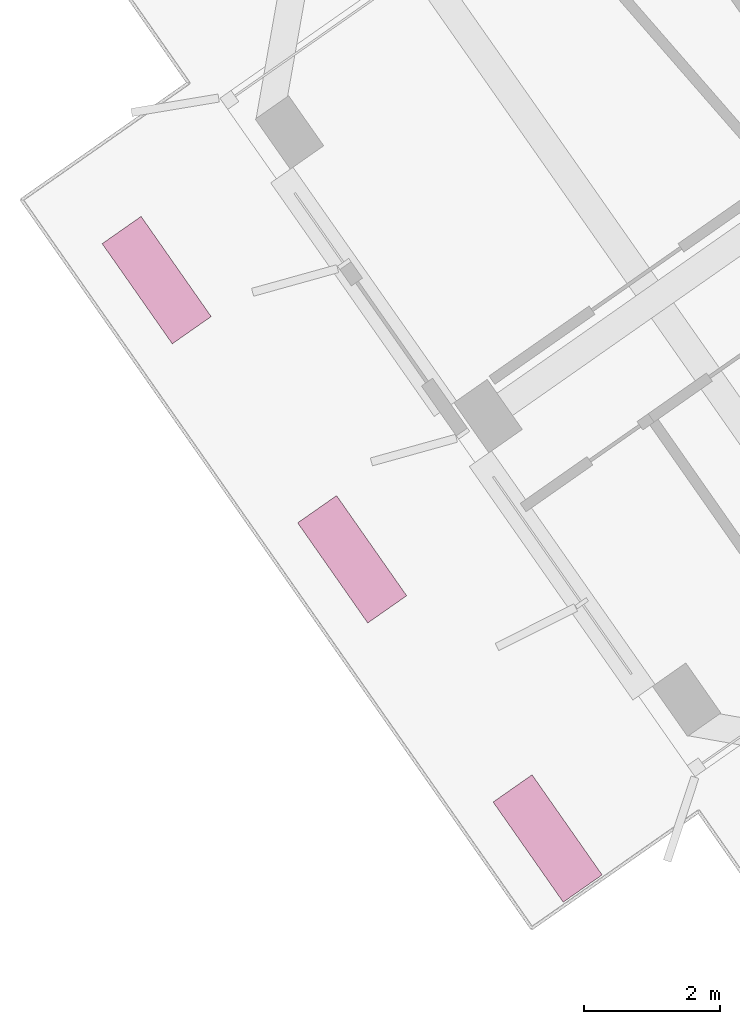
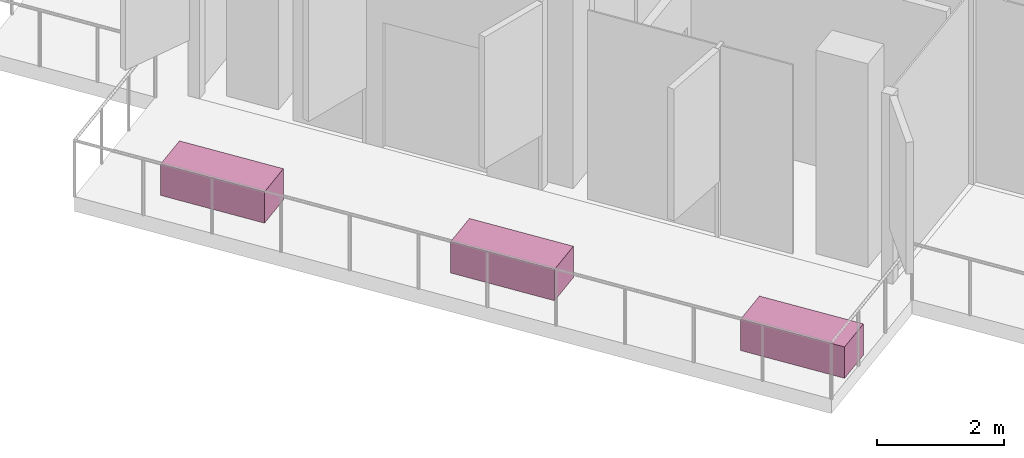
# One storey, part 18 of 18: 3 furniture elements.
"""IFC4 building model written with IfcOpenShell, lengths in metres."""

import ifcopenshell
import ifcopenshell.guid

model = None  # the IFC model being written
_history = None  # IfcOwnerHistory: only IFC2X3 demands one
_inside = {}  # id of a spatial element -> (the spatial element, [elements in it])
_under = {}  # id of a project, library or spatial element -> (it, [spatial elements below it])
_declared = {}  # id of a project -> (the project, [libraries it declares])
_typed = {}  # id of a type object -> (the type object, [elements of that type])
_made_of = {}  # id of a material, layer set ... -> (it, [elements and type objects made of it])


def new_model(schema):
    """Start an empty IFC model of exactly this schema.

    Asked for "IFC4X3", IfcOpenShell would pick the latest addendum, in which some entities
    have other attributes; the version numbers below select the first issue.
    IFC2X3 requires an IfcOwnerHistory on every rooted entity: one is made here for all.
    """
    global model, _history
    if schema == "IFC4X3":
        model = ifcopenshell.file(schema_version=(4, 3, 0, 0))
    else:
        model = ifcopenshell.file(schema=schema)
    _inside.clear()
    _under.clear()
    _declared.clear()
    _typed.clear()
    _made_of.clear()
    _history = None
    if model.schema == "IFC2X3":
        org = make("IfcOrganization", Name="unknown")
        user = make(
            "IfcPersonAndOrganization",
            ThePerson=make("IfcPerson", FamilyName="unknown"),
            TheOrganization=org,
        )
        app = make(
            "IfcApplication",
            ApplicationDeveloper=org,
            Version="unknown",
            ApplicationFullName="unknown",
            ApplicationIdentifier="unknown",
        )
        _history = make(
            "IfcOwnerHistory",
            OwningUser=user,
            OwningApplication=app,
            ChangeAction="ADDED",
            CreationDate=0,
        )
    return model


def make(cls, **values):
    """One entity of the class cls with the attributes given. An attribute that is None is left unset."""
    return model.create_entity(
        cls, **{name: value for name, value in values.items() if value is not None}
    )


def rooted(cls, **values):
    """An entity with a GlobalId (a new one), such as an element, a storey or a relation."""
    return make(cls, GlobalId=ifcopenshell.guid.new(), OwnerHistory=_history, **values)


def si_unit(unit_type, name, prefix=None):
    """IfcSIUnit, for example si_unit("LENGTHUNIT", "METRE", prefix="MILLI")."""
    return make("IfcSIUnit", UnitType=unit_type, Prefix=prefix, Name=name)


def assignment(units):
    """IfcUnitAssignment: the units of a project."""
    return None if units is None else make("IfcUnitAssignment", Units=units)


def point(xyz):
    """IfcCartesianPoint."""
    return None if xyz is None else make("IfcCartesianPoint", Coordinates=xyz)


def direction(xyz):
    """IfcDirection."""
    return None if xyz is None else make("IfcDirection", DirectionRatios=xyz)


def frame(location, z_axis=None, x_axis=None):
    """IfcAxis2Placement3D, a coordinate frame: its origin and axes. An axis left out is left unset."""
    return make(
        "IfcAxis2Placement3D",
        Location=point(location),
        Axis=direction(z_axis),
        RefDirection=direction(x_axis),
    )


def frame_2d(location, x_axis=None):
    """IfcAxis2Placement2D, a coordinate frame in the plane: its origin and x axis."""
    return make(
        "IfcAxis2Placement2D", Location=point(location), RefDirection=direction(x_axis)
    )


def origin():
    """The frame at (0, 0, 0) with its axes left unset."""
    return frame((0.0, 0.0, 0.0))


def origin_2d():
    """The frame at (0, 0) in the plane with its x axis left unset."""
    return frame_2d((0.0, 0.0))


def place(relative_to, where):
    """IfcLocalPlacement: puts the frame where relative to a parent placement (None: the world)."""
    return make(
        "IfcLocalPlacement", PlacementRelTo=relative_to, RelativePlacement=where
    )


def context(
    kind, dimensions, precision=None, world=None, true_north=None, identifier=None
):
    """IfcGeometricRepresentationContext, for example the 3D "Model" context."""
    return make(
        "IfcGeometricRepresentationContext",
        ContextIdentifier=identifier,
        ContextType=kind,
        CoordinateSpaceDimension=dimensions,
        Precision=precision,
        WorldCoordinateSystem=world,
        TrueNorth=true_north,
    )


def subcontext(parent, identifier, kind, view, scale=None):
    """IfcGeometricRepresentationSubContext, for example "Body" below "Model"."""
    return make(
        "IfcGeometricRepresentationSubContext",
        ContextIdentifier=identifier,
        ContextType=kind,
        ParentContext=parent,
        TargetScale=scale,
        TargetView=view,
    )


def project(units=None, contexts=None):
    """IfcProject with its units and contexts."""
    return rooted(
        "IfcProject",
        Name="project",
        RepresentationContexts=contexts,
        UnitsInContext=assignment(units),
    )


def spatial(cls, under=None, at=None, **own):
    """A site, building, storey or space (cls), placed at a placement, below another one or the project."""
    s = rooted(cls, ObjectPlacement=at, **own)
    if under is not None:
        _under.setdefault(under.id(), (under, []))[1].append(s)
    return s


def profile(cls, at=None, kind="AREA", **sizes):
    """A parametric profile (cls). Its sizes go by their IFC names, for example OverallWidth=200.0."""
    return make(cls, ProfileType=kind, Position=at, **sizes)


def rectangle(**sizes):
    """IfcRectangleProfileDef."""
    return profile("IfcRectangleProfileDef", **sizes)


def extrude(swept, where, along, depth):
    """IfcExtrudedAreaSolid: the profile swept, set in the frame where, extruded along a direction by depth."""
    return make(
        "IfcExtrudedAreaSolid",
        SweptArea=swept,
        Position=where,
        ExtrudedDirection=direction(along),
        Depth=depth,
    )


def shape(context_of_items, identifier, shape_type, items):
    """IfcShapeRepresentation: the items that make up one representation, for example the "Body"."""
    return make(
        "IfcShapeRepresentation",
        ContextOfItems=context_of_items,
        RepresentationIdentifier=identifier,
        RepresentationType=shape_type,
        Items=items,
    )


def material(Name=None, Category=None):
    """IfcMaterial."""
    return make("IfcMaterial", Name=Name, Category=Category)


def made_of(thing, what):
    """Note that an element or type object is made of a material, layer set ...; save() writes the relation."""
    if what is not None:
        _made_of.setdefault(what.id(), (what, []))[1].append(thing)
    return thing


def type_object(cls, material=None, **own):
    """A type object (cls), such as IfcWallType, which elements share."""
    return made_of(rooted(cls, **own), material)


def element(
    cls,
    number,
    at=None,
    inside=None,
    cuts=None,
    type_object=None,
    material=None,
    context=None,
    identifier="Body",
    shape_type=None,
    held_by="IfcProductDefinitionShape",
    body=None,
    shapes=None,
    **own,
):
    """One element of the class cls, such as IfcWall. Its Tag is "e" and its number.

    at: its placement. inside: the storey or other place that contains it. cuts: it is an
    opening in that element (IfcRelVoidsElement). A single representation is given by context,
    identifier, shape_type and body (its items); several are given by shapes. held_by: the class
    of the entity that holds the representations. save() writes the other relations.
    """
    e = rooted(cls, Tag="e%d" % number, ObjectPlacement=at, **own)
    if body is not None:
        shapes = [shape(context, identifier, shape_type, body)]
    if shapes is not None:
        e.Representation = make(held_by, Representations=shapes)
    if inside is not None:
        _inside.setdefault(inside.id(), (inside, []))[1].append(e)
    if cuts is not None:
        rooted(
            "IfcRelVoidsElement", RelatingBuildingElement=cuts, RelatedOpeningElement=e
        )
    if type_object is not None:
        _typed.setdefault(type_object.id(), (type_object, []))[1].append(e)
    return made_of(e, material)


def aggregate(whole, parts):
    """IfcRelAggregates: a whole, such as a stair, and the parts it consists of."""
    return rooted("IfcRelAggregates", RelatingObject=whole, RelatedObjects=parts)


def save(model, path):
    """Write the relations noted so far, then the file.

    IfcRelAggregates (storeys below a building ...), IfcRelContainedInSpatialStructure (elements
    in a storey), IfcRelDefinesByType, IfcRelAssociatesMaterial and IfcRelDeclares: one each for
    every whole, place, type object, material and project.
    """
    for whole, parts in _under.values():
        aggregate(whole, parts)
    for where, things in _inside.values():
        rooted(
            "IfcRelContainedInSpatialStructure",
            RelatedElements=things,
            RelatingStructure=where,
        )
    for kind, things in _typed.values():
        rooted("IfcRelDefinesByType", RelatedObjects=things, RelatingType=kind)
    for what, things in _made_of.values():
        rooted("IfcRelAssociatesMaterial", RelatedObjects=things, RelatingMaterial=what)
    for by, libraries in _declared.values():
        rooted("IfcRelDeclares", RelatingContext=by, RelatedDefinitions=libraries)
    model.write(path)


model = new_model("IFC4")

# Units and contexts
model_context = context("Model", 3, precision=1e-05, world=origin(), true_north=direction((0.0, 1.0)))
body_context = subcontext(model_context, "Body", "Model", "MODEL_VIEW")
ifc_project = project(units=[si_unit("LENGTHUNIT", "METRE"), si_unit("AREAUNIT", "SQUARE_METRE"), si_unit("VOLUMEUNIT", "CUBIC_METRE"), si_unit("PLANEANGLEUNIT", "RADIAN"), si_unit("MASSUNIT", "GRAM", prefix="KILO")], contexts=[model_context])

# Site, building, storey
site_placement = place(None, origin())
site = spatial("IfcSite", under=ifc_project, at=site_placement, CompositionType="ELEMENT")
building_placement = place(site_placement, origin())
building = spatial("IfcBuilding", under=site, at=building_placement, Name="Tel Ilan Convention Tower", CompositionType="ELEMENT")
storey_placement = place(building_placement, frame((0.0, 0.0, 295.60009765625)))
storey = spatial("IfcBuildingStorey", under=building, at=storey_placement, Name="L70", CompositionType="ELEMENT", Elevation=295.60009765625)

# Furniture
ifc_material = material(Name="Concrete C30/37", Category="concrete")
furniture_type = type_object("IfcFurnitureType", Name="PLANTER 1800x700", AssemblyPlace="NOTDEFINED", PredefinedType="NOTDEFINED", material=ifc_material)
for number, where, z_axis, x_axis, name in (
    (1, (-25.72021484375, -26.554931640625, -0.000244140625), (0.0, 0.0, 1.0), (-0.573576436351, 0.819152044289, 0.0), "PLANTER"),
    (2, (-28.599609375, -22.442626953125, -0.000244140625), (0.0, 0.0, 1.0), (-0.573576436351, 0.819152044289, 0.0), "PLANTER"),
    (3, (-31.47900390625, -18.33056640625, -0.000244140625), (0.0, 0.0, 1.0), (-0.573576436351, 0.819152044289, 0.0), "PLANTER"),
):
    element("IfcFurniture", number, at=place(storey_placement, frame(where, z_axis=z_axis, x_axis=x_axis)), inside=storey, type_object=furniture_type, Name=name, PredefinedType="NOTDEFINED", context=body_context, shape_type="SweptSolid", body=[
        extrude(rectangle(XDim=1.800048828125, YDim=0.699951171875, at=origin_2d()), origin(), (0.0, 0.0, 1.0), 0.60009765625),
    ])

save(model, "model.ifc")
